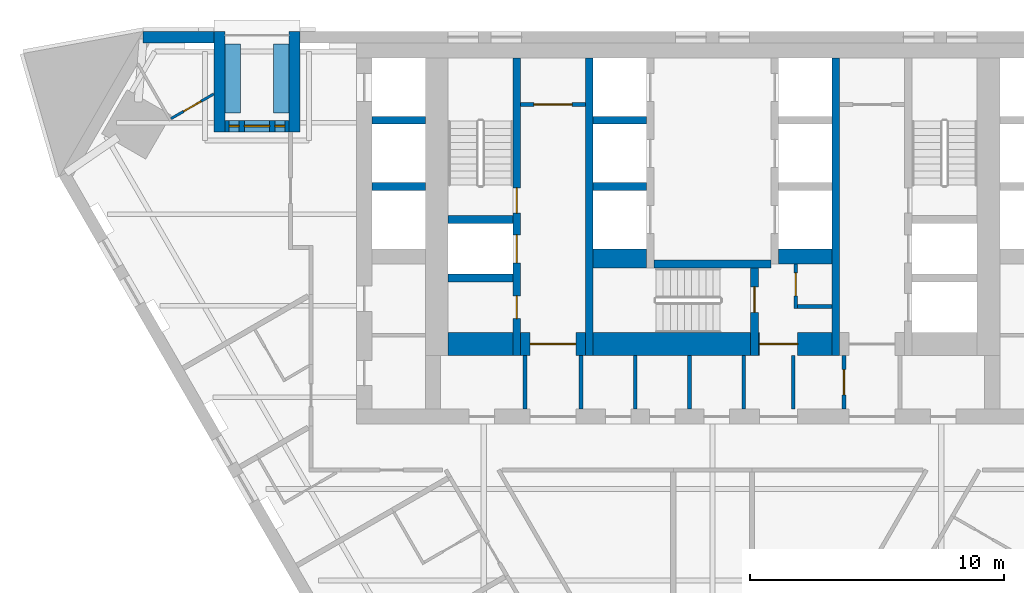
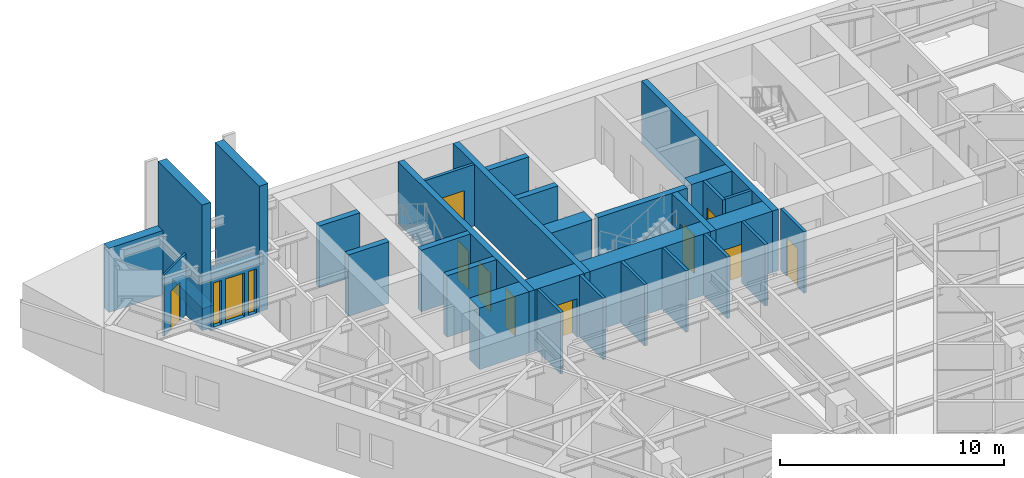
# One storey, part 6 of 10: 34 walls, 11 doors, 2 windows, 13 openings.
"""IFC4 building model written with IfcOpenShell, lengths in metres."""

from ifc_helpers import new_model, si_unit, direction, frame, frame_2d, origin, place, context, subcontext, project, spatial, polyline, rectangle, outline, extrude, material, layer, layer_set, type_object, element, fill, save


model = new_model("IFC4")

# Units and contexts
model_context = context("Model", 3, precision=1e-05, world=origin(), true_north=direction((0.0, 1.0)))
body_context = subcontext(model_context, "Body", "Model", "MODEL_VIEW")
ifc_project = project(units=[si_unit("LENGTHUNIT", "METRE"), si_unit("AREAUNIT", "SQUARE_METRE"), si_unit("VOLUMEUNIT", "CUBIC_METRE"), si_unit("PLANEANGLEUNIT", "RADIAN"), si_unit("MASSUNIT", "GRAM", prefix="KILO")], contexts=[model_context])

# Site, building, storey
site_placement = place(None, origin())
site = spatial("IfcSite", under=ifc_project, at=site_placement, CompositionType="ELEMENT")
building_placement = place(site_placement, origin())
building = spatial("IfcBuilding", under=site, at=building_placement, Name="Aloe Facet Convention Tower", CompositionType="ELEMENT")
storey_placement = place(building_placement, frame((0.0, 0.0, 45.5)))
storey = spatial("IfcBuildingStorey", under=building, at=storey_placement, Name="L09", CompositionType="ELEMENT", Elevation=45.5)

# Wall, opening, door
ifc_material_1 = material(Name="Concrete blockwork partition", Category="masonry")
ifc_layer_1 = layer(ifc_material_1, 0.14990234375)
ifc_layer_set_1 = layer_set([ifc_layer_1], Name="CR-W-PART150")
wall_type_1 = type_object("IfcWallType", Name="CR-W-PART150", PredefinedType="PARTITIONING", material=ifc_layer_set_1)
wall_1_placement = place(storey_placement, frame((72.449951171875, 132.125, 0.0), z_axis=(0.0, 0.0, 1.0), x_axis=(1.0, 0.0, 0.0)))
wall_1 = element("IfcWall", 1, at=wall_1_placement, inside=storey, type_object=wall_type_1, Name="Core partition L09-014", PredefinedType="PARTITIONING", context=body_context, shape_type="SweptSolid", body=[
    extrude(rectangle(XDim=2.550048828125, YDim=0.14990234375, at=frame_2d((1.27490234375, 0.0))), origin(), (0.0, 0.0, 1.0), 3.35009765625),
])
opening_1_placement = place(wall_1_placement, frame((0.52490234375, 0.0, 0.0)))
opening_1 = element("IfcOpeningElement", 2, at=opening_1_placement, cuts=wall_1, Name="Opening L09-CD21", PredefinedType="OPENING", context=body_context, shape_type="SweptSolid", body=[
    extrude(rectangle(XDim=1.5, YDim=2.10009765625, at=frame_2d((0.75, 1.050048828125))), frame((0.0, 0.0849609375, 0.0), z_axis=(0.0, -1.0, 0.0), x_axis=(1.0, 0.0, 0.0)), (0.0, 0.0, 1.0), 0.169921875),
])
ifc_material_2 = material(Name="Steel fire-resisting door set FD60", Category="steel")
door_type_1 = type_object("IfcDoorType", Name="CR-D-REFUGE-1500-FD60-DD", OperationType="DOUBLE_DOOR_DOUBLE_SWING", PredefinedType="DOOR", material=ifc_material_2)
door_1_placement = place(opening_1_placement, origin())
door_1 = element("IfcDoor", 3, at=door_1_placement, inside=storey, type_object=door_type_1, Name="Core door L09-CD21", OperationType="DOUBLE_DOOR_DOUBLE_SWING", OverallHeight=2.10009765625, OverallWidth=1.5, PredefinedType="DOOR", context=body_context, shape_type="SweptSolid", body=[
    extrude(rectangle(XDim=1.5, YDim=2.10009765625, at=frame_2d((0.75, 1.050048828125))), frame((0.0, 0.02490234375, 0.0), z_axis=(0.0, -1.0, 0.0), x_axis=(1.0, 0.0, 0.0)), (0.0, 0.0, 1.0), 0.050048828125),
])
fill(opening_1, door_1)

# Walls
for number, where, z_axis, x_axis, name in (
    (4, (72.625, 122.25, 0.0), (0.0, 0.0, 1.0), (0.0, -1.0, 0.0), "Core partition L09-016"),
    (5, (74.824951171875, 122.25, 0.0), (0.0, 0.0, 1.0), (0.0, -1.0, 0.0), "Core partition L09-017"),
    (6, (76.958251953125, 122.25, 0.0), (0.0, 0.0, 1.0), (0.0, -1.0, 0.0), "Core partition L09-023"),
    (7, (79.091552734375, 122.25, 0.0), (0.0, 0.0, 1.0), (0.0, -1.0, 0.0), "Core partition L09-026"),
    (8, (81.22509765625, 122.25, 0.0), (0.0, 0.0, 1.0), (0.0, -1.0, 0.0), "Core partition L09-027"),
    (9, (83.175048828125, 122.25, 0.0), (0.0, 0.0, 1.0), (0.0, -1.0, 0.0), "Core partition L09-034"),
):
    element("IfcWall", number, at=place(storey_placement, frame(where, z_axis=z_axis, x_axis=x_axis)), inside=storey, type_object=wall_type_1, Name=name, PredefinedType="PARTITIONING", context=body_context, shape_type="SweptSolid", body=[
        extrude(rectangle(XDim=2.10009765625, YDim=0.14990234375, at=frame_2d((1.050048828125, 0.0))), origin(), (0.0, 0.0, 1.0), 3.35009765625),
    ])

# Wall, opening, door
wall_2_placement = place(storey_placement, frame((83.27490234375, 125.85009765625, 0.0), z_axis=(0.0, 0.0, 1.0), x_axis=(0.0, -1.0, 0.0)))
wall_2 = element("IfcWall", 10, at=wall_2_placement, inside=storey, type_object=wall_type_1, Name="Core partition L09-035", PredefinedType="PARTITIONING", context=body_context, shape_type="SweptSolid", body=[
    extrude(rectangle(XDim=1.75, YDim=0.14990234375, at=frame_2d((0.875, 0.0))), origin(), (0.0, 0.0, 1.0), 3.35009765625),
])
opening_2_placement = place(wall_2_placement, frame((0.35009765625, 0.0, 0.0)))
opening_2 = element("IfcOpeningElement", 11, at=opening_2_placement, cuts=wall_2, Name="Opening L09-CD19", PredefinedType="OPENING", context=body_context, shape_type="SweptSolid", body=[
    extrude(rectangle(XDim=0.89990234375, YDim=2.10009765625, at=frame_2d((0.449951171875, 1.050048828125))), frame((0.0, 0.0849609375, 0.0), z_axis=(0.0, -1.0, 0.0), x_axis=(1.0, 0.0, 0.0)), (0.0, 0.0, 1.0), 0.169921875),
])
ifc_material_3 = material(Name="Steel fire-resisting door set FD60", Category="steel")
door_type_2 = type_object("IfcDoorType", Name="CR-D-REFUGE-900-FD60-SRIGHT", OperationType="SINGLE_SWING_RIGHT", PredefinedType="DOOR", material=ifc_material_3)
door_2_placement = place(opening_2_placement, origin())
door_2 = element("IfcDoor", 12, at=door_2_placement, inside=storey, type_object=door_type_2, Name="Core door L09-CD19", OperationType="SINGLE_SWING_RIGHT", OverallHeight=2.10009765625, OverallWidth=0.89990234375, PredefinedType="DOOR", context=body_context, shape_type="SweptSolid", body=[
    extrude(rectangle(XDim=0.89990234375, YDim=2.10009765625, at=frame_2d((0.449951171875, 1.050048828125))), frame((0.0, 0.02490234375, 0.0), z_axis=(0.0, -1.0, 0.0), x_axis=(1.0, 0.0, 0.0)), (0.0, 0.0, 1.0), 0.050048828125),
])
fill(opening_2, door_2)

# Wall
wall_3_placement = place(storey_placement, frame((83.35009765625, 124.175048828125, 0.0), z_axis=(0.0, 0.0, 1.0), x_axis=(1.0, 0.0, 0.0)))
element("IfcWall", 13, at=wall_3_placement, inside=storey, type_object=wall_type_1, Name="Core partition L09-036", PredefinedType="PARTITIONING", context=body_context, shape_type="SweptSolid", body=[
    extrude(rectangle(XDim=1.349853515625, YDim=0.14990234375, at=frame_2d((0.6748046875, 0.0))), origin(), (0.0, 0.0, 1.0), 3.35009765625),
])

# Wall, opening, door
wall_4_placement = place(storey_placement, frame((85.175048828125, 122.25, 0.0), z_axis=(0.0, 0.0, 1.0), x_axis=(0.0, -1.0, 0.0)))
wall_4 = element("IfcWall", 14, at=wall_4_placement, inside=storey, type_object=wall_type_1, Name="Core partition L09-040", PredefinedType="PARTITIONING", context=body_context, shape_type="SweptSolid", body=[
    extrude(rectangle(XDim=2.10009765625, YDim=0.14990234375, at=frame_2d((1.050048828125, 0.0))), origin(), (0.0, 0.0, 1.0), 3.35009765625),
])
opening_3_placement = place(wall_4_placement, frame((0.550048828125, 0.0, 0.0)))
opening_3 = element("IfcOpeningElement", 15, at=opening_3_placement, cuts=wall_4, Name="Opening L09-CD27", PredefinedType="OPENING", context=body_context, shape_type="SweptSolid", body=[
    extrude(rectangle(XDim=1.0, YDim=2.10009765625, at=frame_2d((0.5, 1.050048828125))), frame((0.0, 0.0849609375, 0.0), z_axis=(0.0, -1.0, 0.0), x_axis=(1.0, 0.0, 0.0)), (0.0, 0.0, 1.0), 0.169921875),
])
ifc_material_4 = material(Name="Steel fire-resisting door set FD60", Category="steel")
door_type_3 = type_object("IfcDoorType", Name="CR-D-ROOM-1000-FD60-SRIGHT", OperationType="SINGLE_SWING_RIGHT", PredefinedType="DOOR", material=ifc_material_4)
door_3_placement = place(opening_3_placement, origin())
door_3 = element("IfcDoor", 16, at=door_3_placement, inside=storey, type_object=door_type_3, Name="Core door L09-CD27", OperationType="SINGLE_SWING_RIGHT", OverallHeight=2.10009765625, OverallWidth=1.0, PredefinedType="DOOR", context=body_context, shape_type="SweptSolid", body=[
    extrude(rectangle(XDim=1.0, YDim=2.10009765625, at=frame_2d((0.5, 1.050048828125))), frame((0.0, 0.02490234375, 0.0), z_axis=(0.0, -1.0, 0.0), x_axis=(1.0, 0.0, 0.0)), (0.0, 0.0, 1.0), 0.050048828125),
])
fill(opening_3, door_3)

# Walls
ifc_material_5 = material(Name="Concrete C80/95", Category="concrete")
ifc_layer_2 = layer(ifc_material_5, 0.300048828125)
ifc_layer_set_2 = layer_set([ifc_layer_2], Name="CR-W-RC300-C8095")
wall_type_2 = type_object("IfcWallType", Name="CR-W-RC300-C8095", PredefinedType="SOLIDWALL", material=ifc_layer_set_2)
for number, where, z_axis, x_axis, name in (
    (17, (66.60009765625, 131.5, 0.0), (0.0, 0.0, 1.0), (1.0, 0.0, 0.0), "Core wall L09-004"),
    (18, (66.60009765625, 128.89990234375, 0.0), (0.0, 0.0, 1.0), (1.0, 0.0, 0.0), "Core wall L09-005"),
):
    element("IfcWall", number, at=place(storey_placement, frame(where, z_axis=z_axis, x_axis=x_axis)), inside=storey, type_object=wall_type_2, Name=name, PredefinedType="SOLIDWALL", context=body_context, shape_type="SweptSolid", body=[
        extrude(rectangle(XDim=2.099853515625, YDim=0.300048828125, at=frame_2d((1.0498046875, 0.0))), origin(), (0.0, 0.0, 1.0), 3.35009765625),
    ])
for number, where, z_axis, x_axis, name in (
    (19, (69.60009765625, 127.60009765625, 0.0), (0.0, 0.0, 1.0), (1.0, 0.0, 0.0), "Core wall L09-010"),
    (20, (69.60009765625, 125.300048828125, 0.0), (0.0, 0.0, 1.0), (1.0, 0.0, 0.0), "Core wall L09-011"),
):
    element("IfcWall", number, at=place(storey_placement, frame(where, z_axis=z_axis, x_axis=x_axis)), inside=storey, type_object=wall_type_2, Name=name, PredefinedType="SOLIDWALL", context=body_context, shape_type="SweptSolid", body=[
        extrude(rectangle(XDim=2.5498046875, YDim=0.300048828125, at=frame_2d((1.27490234375, 0.0))), origin(), (0.0, 0.0, 1.0), 3.35009765625),
    ])

# Wall, openings, doors
wall_5_placement = place(storey_placement, frame((72.300048828125, 133.949951171875, 0.0), z_axis=(0.0, 0.0, 1.0), x_axis=(0.0, -1.0, 0.0)))
wall_5 = element("IfcWall", 21, at=wall_5_placement, inside=storey, type_object=wall_type_2, Name="Core wall L09-013", PredefinedType="SOLIDWALL", context=body_context, shape_type="SweptSolid", body=[
    extrude(rectangle(XDim=11.699951171875, YDim=0.300048828125, at=frame_2d((5.85009765625, 0.0))), origin(), (0.0, 0.0, 1.0), 3.35009765625),
])
opening_4_placement = place(wall_5_placement, frame((6.949951171875, 0.0, 0.0)))
opening_4 = element("IfcOpeningElement", 22, at=opening_4_placement, cuts=wall_5, Name="Opening LD-FF1-L09", PredefinedType="OPENING", context=body_context, shape_type="SweptSolid", body=[
    extrude(rectangle(XDim=1.10009765625, YDim=2.10009765625, at=frame_2d((0.550048828125, 1.050048828125))), frame((0.0, 0.16015625, 0.0), z_axis=(0.0, -1.0, 0.0), x_axis=(1.0, 0.0, 0.0)), (0.0, 0.0, 1.0), 0.320068359375),
])
opening_5_placement = place(wall_5_placement, frame((9.35009765625, 0.0, 0.0)))
opening_5 = element("IfcOpeningElement", 23, at=opening_5_placement, cuts=wall_5, Name="Opening L09-CD22", PredefinedType="OPENING", context=body_context, shape_type="SweptSolid", body=[
    extrude(rectangle(XDim=0.89990234375, YDim=2.10009765625, at=frame_2d((0.449951171875, 1.050048828125))), frame((0.0, 0.16015625, 0.0), z_axis=(0.0, -1.0, 0.0), x_axis=(1.0, 0.0, 0.0)), (0.0, 0.0, 1.0), 0.320068359375),
])
opening_6_placement = place(wall_5_placement, frame((5.10009765625, 0.0, 0.0)))
opening_6 = element("IfcOpeningElement", 24, at=opening_6_placement, cuts=wall_5, Name="Opening L09-CD29", PredefinedType="OPENING", context=body_context, shape_type="SweptSolid", body=[
    extrude(rectangle(XDim=1.0, YDim=2.10009765625, at=frame_2d((0.5, 1.050048828125))), frame((0.0, 0.16015625, 0.0), z_axis=(0.0, -1.0, 0.0), x_axis=(1.0, 0.0, 0.0)), (0.0, 0.0, 1.0), 0.320068359375),
])
ifc_material_6 = material(Name="Steel fire-resisting door set FD60", Category="steel")
door_type_4 = type_object("IfcDoorType", Name="CR-D-ROOM-900-FD60-SLEFT", OperationType="SINGLE_SWING_LEFT", PredefinedType="DOOR", material=ifc_material_6)
door_4_placement = place(opening_5_placement, origin())
door_4 = element("IfcDoor", 25, at=door_4_placement, inside=storey, type_object=door_type_4, Name="Core door L09-CD22", OperationType="SINGLE_SWING_LEFT", OverallHeight=2.10009765625, OverallWidth=0.89990234375, PredefinedType="DOOR", context=body_context, shape_type="SweptSolid", body=[
    extrude(rectangle(XDim=0.89990234375, YDim=2.10009765625, at=frame_2d((0.449951171875, 1.050048828125))), frame((0.0, 0.02490234375, 0.0), z_axis=(0.0, -1.0, 0.0), x_axis=(1.0, 0.0, 0.0)), (0.0, 0.0, 1.0), 0.050048828125),
])
fill(opening_5, door_4)
ifc_material_7 = material(Name="Steel fire-resisting door set FD120", Category="steel")
door_type_5 = type_object("IfcDoorType", Name="CR-D-STAIR-1000-FD120-SRIGHT", OperationType="SINGLE_SWING_RIGHT", PredefinedType="DOOR", material=ifc_material_7)
door_5_placement = place(opening_6_placement, origin())
door_5 = element("IfcDoor", 26, at=door_5_placement, inside=storey, type_object=door_type_5, Name="Core door L09-CD29", OperationType="SINGLE_SWING_RIGHT", OverallHeight=2.10009765625, OverallWidth=1.0, PredefinedType="DOOR", context=body_context, shape_type="SweptSolid", body=[
    extrude(rectangle(XDim=1.0, YDim=2.10009765625, at=frame_2d((0.5, 1.050048828125))), frame((0.0, 0.02490234375, 0.0), z_axis=(0.0, -1.0, 0.0), x_axis=(1.0, 0.0, 0.0)), (0.0, 0.0, 1.0), 0.050048828125),
])
fill(opening_6, door_5)
ifc_material_8 = material(Name="Stainless steel sliding landing door", Category="steel")
door_type_6 = type_object("IfcDoorType", Name="CR-LD-1100-FD120-_LEFT", OperationType="SLIDING_TO_LEFT", PredefinedType="DOOR", material=ifc_material_8)
door_6_placement = place(opening_4_placement, origin())
door_6 = element("IfcDoor", 27, at=door_6_placement, inside=storey, type_object=door_type_6, Name="Landing door FF1 L09", OperationType="SLIDING_TO_LEFT", OverallHeight=2.10009765625, OverallWidth=1.10009765625, PredefinedType="DOOR", context=body_context, shape_type="SweptSolid", body=[
    extrude(rectangle(XDim=1.10009765625, YDim=2.10009765625, at=frame_2d((0.550048828125, 1.050048828125))), frame((0.0, 0.02490234375, 0.0), z_axis=(0.0, -1.0, 0.0), x_axis=(1.0, 0.0, 0.0)), (0.0, 0.0, 1.0), 0.050048828125),
])
fill(opening_4, door_6)

# Walls
wall_6_placement = place(storey_placement, frame((75.14990234375, 133.949951171875, 0.0), z_axis=(0.0, 0.0, 1.0), x_axis=(0.0, -1.0, 0.0)))
element("IfcWall", 28, at=wall_6_placement, inside=storey, type_object=wall_type_2, Name="Core wall L09-018", PredefinedType="SOLIDWALL", context=body_context, shape_type="SweptSolid", body=[
    extrude(rectangle(XDim=11.699951171875, YDim=0.300048828125, at=frame_2d((5.85009765625, 0.0))), origin(), (0.0, 0.0, 1.0), 3.35009765625),
])
for number, where, z_axis, x_axis, name in (
    (29, (75.300048828125, 131.5, 0.0), (0.0, 0.0, 1.0), (1.0, 0.0, 0.0), "Core wall L09-019"),
    (30, (75.300048828125, 128.89990234375, 0.0), (0.0, 0.0, 1.0), (1.0, 0.0, 0.0), "Core wall L09-020"),
):
    element("IfcWall", number, at=place(storey_placement, frame(where, z_axis=z_axis, x_axis=x_axis)), inside=storey, type_object=wall_type_2, Name=name, PredefinedType="SOLIDWALL", context=body_context, shape_type="SweptSolid", body=[
        extrude(rectangle(XDim=2.099853515625, YDim=0.300048828125, at=frame_2d((1.0498046875, 0.0))), origin(), (0.0, 0.0, 1.0), 3.35009765625),
    ])
wall_7_placement = place(storey_placement, frame((77.699951171875, 125.85009765625, 0.0), z_axis=(0.0, 0.0, 1.0), x_axis=(1.0, 0.0, 0.0)))
element("IfcWall", 31, at=wall_7_placement, inside=storey, type_object=wall_type_2, Name="Core wall L09-025", PredefinedType="SOLIDWALL", context=body_context, shape_type="SweptSolid", body=[
    extrude(rectangle(XDim=4.60009765625, YDim=0.300048828125, at=frame_2d((2.300048828125, 0.0))), origin(), (0.0, 0.0, 1.0), 3.35009765625),
])

# Wall, opening, door
wall_8_placement = place(storey_placement, frame((81.64990234375, 125.699951171875, 0.0), z_axis=(0.0, 0.0, 1.0), x_axis=(0.0, -1.0, 0.0)))
wall_8 = element("IfcWall", 32, at=wall_8_placement, inside=storey, type_object=wall_type_2, Name="Core wall L09-028", PredefinedType="SOLIDWALL", context=body_context, shape_type="SweptSolid", body=[
    extrude(rectangle(XDim=3.449951171875, YDim=0.300048828125, at=frame_2d((1.72509765625, 0.0))), origin(), (0.0, 0.0, 1.0), 3.35009765625),
])
opening_7_placement = place(wall_8_placement, frame((0.75, 0.0, 0.0)))
opening_7 = element("IfcOpeningElement", 33, at=opening_7_placement, cuts=wall_8, Name="Opening L09-CD31", PredefinedType="OPENING", context=body_context, shape_type="SweptSolid", body=[
    extrude(rectangle(XDim=1.0, YDim=2.10009765625, at=frame_2d((0.5, 1.050048828125))), frame((0.0, 0.16015625, 0.0), z_axis=(0.0, -1.0, 0.0), x_axis=(1.0, 0.0, 0.0)), (0.0, 0.0, 1.0), 0.320068359375),
])
ifc_material_9 = material(Name="Steel fire-resisting door set FD120", Category="steel")
door_type_7 = type_object("IfcDoorType", Name="CR-D-STAIR-1000-FD120-SLEFT", OperationType="SINGLE_SWING_LEFT", PredefinedType="DOOR", material=ifc_material_9)
door_7_placement = place(opening_7_placement, origin())
door_7 = element("IfcDoor", 34, at=door_7_placement, inside=storey, type_object=door_type_7, Name="Core door L09-CD31", OperationType="SINGLE_SWING_LEFT", OverallHeight=2.10009765625, OverallWidth=1.0, PredefinedType="DOOR", context=body_context, shape_type="SweptSolid", body=[
    extrude(rectangle(XDim=1.0, YDim=2.10009765625, at=frame_2d((0.5, 1.050048828125))), frame((0.0, 0.02490234375, 0.0), z_axis=(0.0, -1.0, 0.0), x_axis=(1.0, 0.0, 0.0)), (0.0, 0.0, 1.0), 0.050048828125),
])
fill(opening_7, door_7)

# Walls
wall_9_placement = place(storey_placement, frame((84.85009765625, 133.949951171875, 0.0), z_axis=(0.0, 0.0, 1.0), x_axis=(0.0, -1.0, 0.0)))
element("IfcWall", 35, at=wall_9_placement, inside=storey, type_object=wall_type_2, Name="Core wall L09-037", PredefinedType="SOLIDWALL", context=body_context, shape_type="SweptSolid", body=[
    extrude(rectangle(XDim=11.699951171875, YDim=0.300048828125, at=frame_2d((5.85009765625, 0.0))), origin(), (0.0, 0.0, 1.0), 3.35009765625),
])
ifc_material_10 = material(Name="Concrete C80/95", Category="concrete")
ifc_layer_3 = layer(ifc_material_10, 0.60009765625)
ifc_layer_set_3 = layer_set([ifc_layer_3], Name="CR-W-RC600-C8095")
wall_type_3 = type_object("IfcWallType", Name="CR-W-RC600-C8095", PredefinedType="SOLIDWALL", material=ifc_layer_set_3)
wall_10_placement = place(storey_placement, frame((82.60009765625, 126.14990234375, 0.0), z_axis=(0.0, 0.0, 1.0), x_axis=(1.0, 0.0, 0.0)))
element("IfcWall", 36, at=wall_10_placement, inside=storey, type_object=wall_type_3, Name="Core wall L09-033", PredefinedType="SOLIDWALL", context=body_context, shape_type="SweptSolid", body=[
    extrude(rectangle(XDim=2.099853515625, YDim=0.60009765625, at=frame_2d((1.0498046875, 0.0))), origin(), (0.0, 0.0, 1.0), 3.35009765625),
])
ifc_material_11 = material(Name="Concrete C80/95", Category="concrete")
ifc_layer_4 = layer(ifc_material_11, 0.75)
ifc_layer_set_4 = layer_set([ifc_layer_4], Name="CR-W-RC750-C8095")
wall_type_4 = type_object("IfcWallType", Name="CR-W-RC750-C8095", PredefinedType="SOLIDWALL", material=ifc_layer_set_4)
wall_11_placement = place(storey_placement, frame((75.300048828125, 126.074951171875, 0.0), z_axis=(0.0, 0.0, 1.0), x_axis=(1.0, 0.0, 0.0)))
element("IfcWall", 37, at=wall_11_placement, inside=storey, type_object=wall_type_4, Name="Core wall L09-021", PredefinedType="SOLIDWALL", context=body_context, shape_type="SweptSolid", body=[
    extrude(rectangle(XDim=2.099853515625, YDim=0.75, at=frame_2d((1.0498046875, 0.0))), origin(), (0.0, 0.0, 1.0), 3.35009765625),
])
ifc_material_12 = material(Name="Concrete C80/95", Category="concrete")
ifc_layer_5 = layer(ifc_material_12, 0.89990234375)
ifc_layer_set_5 = layer_set([ifc_layer_5], Name="CR-W-RC900-C8095")
wall_type_5 = type_object("IfcWallType", Name="CR-W-RC900-C8095", PredefinedType="SOLIDWALL", material=ifc_layer_set_5)
wall_12_placement = place(storey_placement, frame((69.60009765625, 122.699951171875, 0.0), z_axis=(0.0, 0.0, 1.0), x_axis=(1.0, 0.0, 0.0)))
element("IfcWall", 38, at=wall_12_placement, inside=storey, type_object=wall_type_5, Name="Core wall L09-012", PredefinedType="SOLIDWALL", context=body_context, shape_type="SweptSolid", body=[
    extrude(rectangle(XDim=2.5498046875, YDim=0.89990234375, at=frame_2d((1.27490234375, 0.0))), origin(), (0.0, 0.0, 1.0), 3.35009765625),
])

# Wall, opening, door
wall_13_placement = place(storey_placement, frame((72.449951171875, 122.699951171875, 0.0), z_axis=(0.0, 0.0, 1.0), x_axis=(1.0, 0.0, 0.0)))
wall_13 = element("IfcWall", 39, at=wall_13_placement, inside=storey, type_object=wall_type_5, Name="Core wall L09-015", PredefinedType="SOLIDWALL", context=body_context, shape_type="SweptSolid", body=[
    extrude(rectangle(XDim=2.550048828125, YDim=0.89990234375, at=frame_2d((1.27490234375, 0.0))), origin(), (0.0, 0.0, 1.0), 3.35009765625),
])
opening_8_placement = place(wall_13_placement, frame((0.375, 0.0, 0.0)))
opening_8 = element("IfcOpeningElement", 40, at=opening_8_placement, cuts=wall_13, Name="Opening L09-CD14", PredefinedType="OPENING", context=body_context, shape_type="SweptSolid", body=[
    extrude(rectangle(XDim=1.800048828125, YDim=2.10009765625, at=frame_2d((0.89990234375, 1.050048828125))), frame((0.0, 0.4599609375, 0.0), z_axis=(0.0, -1.0, 0.0), x_axis=(1.0, 0.0, 0.0)), (0.0, 0.0, 1.0), 0.919921875),
])
ifc_material_13 = material(Name="Steel fire-resisting door set FD120", Category="steel")
door_type_8 = type_object("IfcDoorType", Name="CR-D-EXIT-1800-FD120-DD", OperationType="DOUBLE_DOOR_DOUBLE_SWING", PredefinedType="DOOR", material=ifc_material_13)
door_8_placement = place(opening_8_placement, origin())
door_8 = element("IfcDoor", 41, at=door_8_placement, inside=storey, type_object=door_type_8, Name="Core door L09-CD14", OperationType="DOUBLE_DOOR_DOUBLE_SWING", OverallHeight=2.10009765625, OverallWidth=1.800048828125, PredefinedType="DOOR", context=body_context, shape_type="SweptSolid", body=[
    extrude(rectangle(XDim=1.800048828125, YDim=2.10009765625, at=frame_2d((0.89990234375, 1.050048828125))), frame((0.0, 0.02490234375, 0.0), z_axis=(0.0, -1.0, 0.0), x_axis=(1.0, 0.0, 0.0)), (0.0, 0.0, 1.0), 0.050048828125),
])
fill(opening_8, door_8)

# Wall
wall_14_placement = place(storey_placement, frame((75.300048828125, 122.699951171875, 0.0), z_axis=(0.0, 0.0, 1.0), x_axis=(1.0, 0.0, 0.0)))
element("IfcWall", 42, at=wall_14_placement, inside=storey, type_object=wall_type_5, Name="Core wall L09-022", PredefinedType="SOLIDWALL", context=body_context, shape_type="SweptSolid", body=[
    extrude(rectangle(XDim=6.199951171875, YDim=0.89990234375, at=frame_2d((3.10009765625, 0.0))), origin(), (0.0, 0.0, 1.0), 3.35009765625),
])

# Wall, opening, door
wall_15_placement = place(storey_placement, frame((81.800048828125, 122.699951171875, 0.0), z_axis=(0.0, 0.0, 1.0), x_axis=(1.0, 0.0, 0.0)))
wall_15 = element("IfcWall", 43, at=wall_15_placement, inside=storey, type_object=wall_type_5, Name="Core wall L09-029", PredefinedType="SOLIDWALL", context=body_context, shape_type="SweptSolid", body=[
    extrude(rectangle(XDim=2.89990234375, YDim=0.89990234375, at=frame_2d((1.449951171875, 0.0))), origin(), (0.0, 0.0, 1.0), 3.35009765625),
])
opening_9_placement = place(wall_15_placement, frame((0.050048828125, 0.0, 0.0)))
opening_9 = element("IfcOpeningElement", 44, at=opening_9_placement, cuts=wall_15, Name="Opening L09-CD15", PredefinedType="OPENING", context=body_context, shape_type="SweptSolid", body=[
    extrude(rectangle(XDim=1.5, YDim=2.10009765625, at=frame_2d((0.75, 1.050048828125))), frame((0.0, 0.4599609375, 0.0), z_axis=(0.0, -1.0, 0.0), x_axis=(1.0, 0.0, 0.0)), (0.0, 0.0, 1.0), 0.919921875),
])
ifc_material_14 = material(Name="Steel fire-resisting door set FD60", Category="steel")
door_type_9 = type_object("IfcDoorType", Name="CR-D-EXIT-1500-FD60-DD", OperationType="DOUBLE_DOOR_DOUBLE_SWING", PredefinedType="DOOR", material=ifc_material_14)
door_9_placement = place(opening_9_placement, origin())
door_9 = element("IfcDoor", 45, at=door_9_placement, inside=storey, type_object=door_type_9, Name="Core door L09-CD15", OperationType="DOUBLE_DOOR_DOUBLE_SWING", OverallHeight=2.10009765625, OverallWidth=1.5, PredefinedType="DOOR", context=body_context, shape_type="SweptSolid", body=[
    extrude(rectangle(XDim=1.5, YDim=2.10009765625, at=frame_2d((0.75, 1.050048828125))), frame((0.0, 0.02490234375, 0.0), z_axis=(0.0, -1.0, 0.0), x_axis=(1.0, 0.0, 0.0)), (0.0, 0.0, 1.0), 0.050048828125),
])
fill(opening_9, door_9)

# Walls
ifc_material_15 = material(Name="Precast concrete C40/50", Category="concrete")
ifc_layer_6 = layer(ifc_material_15, 0.60009765625)
ifc_layer_set_6 = layer_set([ifc_layer_6], Name="EV-PLANTER")
wall_type_6 = type_object("IfcWallType", Name="EV-PLANTER", PredefinedType="STANDARD", material=ifc_layer_set_6)
for number, where, z_axis, x_axis, name in (
    (46, (63.030029296875, 134.5, 0.0), (0.0, 0.0, 1.0), (0.0, -1.0, 0.0), "PLANTER T01-1"),
    (47, (61.1298828125, 134.5, 0.0), (0.0, 0.0, 1.0), (0.0, -1.0, 0.0), "PLANTER T01-2"),
):
    element("IfcWall", number, at=place(storey_placement, frame(where, z_axis=z_axis, x_axis=x_axis)), inside=storey, type_object=wall_type_6, Name=name, PredefinedType="STANDARD", context=body_context, shape_type="SweptSolid", body=[
        extrude(rectangle(XDim=2.699951171875, YDim=0.60009765625, at=frame_2d((1.35009765625, 0.0))), origin(), (0.0, 0.0, 1.0), 0.60009765625),
    ])
ifc_material_16 = material(Name="Precast concrete C40/50", Category="concrete")
ifc_layer_7 = layer(ifc_material_16, 0.449951171875)
ifc_layer_set_7 = layer_set([ifc_layer_7], Name="EV-WALL-STONE")
wall_type_7 = type_object("IfcWallType", Name="EV-WALL-STONE", PredefinedType="SOLIDWALL", material=ifc_layer_set_7)
wall_16_placement = place(storey_placement, frame((60.3798828125, 134.77490234375, -0.14990234375), z_axis=(0.0, 0.0, 1.0), x_axis=(-1.0, 0.0, 0.0)))
element("IfcWall", 48, at=wall_16_placement, inside=storey, type_object=wall_type_7, Name="EW-L09-N02", PredefinedType="SOLIDWALL", context=body_context, shape_type="SweptSolid", body=[
    extrude(outline(polyline([(2.780029296875, 3.5), (2.780029296875, 0.0), (0.0, 0.0), (0.0, 3.5), (2.780029296875, 3.5)])), frame((0.0, 0.22509765625, 0.0), z_axis=(0.0, -1.0, 0.0), x_axis=(1.0, 0.0, 0.0)), (0.0, 0.0, 1.0), 0.449951171875),
])
for number, where, z_axis, x_axis, name in (
    (49, (63.554931640625, 135.0, 0.0), (0.0, 0.0, 1.0), (0.0, -1.0, 0.0), "TW-T01-1"),
    (50, (60.60498046875, 135.0, 0.0), (0.0, 0.0, 1.0), (0.0, -1.0, 0.0), "TW-T01-2"),
):
    element("IfcWall", number, at=place(storey_placement, frame(where, z_axis=z_axis, x_axis=x_axis)), inside=storey, type_object=wall_type_7, Name=name, PredefinedType="SOLIDWALL", context=body_context, shape_type="SweptSolid", body=[
        extrude(rectangle(XDim=3.949951171875, YDim=0.449951171875, at=frame_2d((1.97509765625, 0.0))), origin(), (0.0, 0.0, 1.0), 6.85009765625),
    ])

# Wall, openings, door, windows
wall_17_placement = place(storey_placement, frame((63.330078125, 131.27490234375, -0.14990234375), z_axis=(0.0, 0.0, 1.0), x_axis=(-1.0, 0.0, 0.0)))
wall_17 = element("IfcWall", 51, at=wall_17_placement, inside=storey, type_object=wall_type_7, Name="TB-T01-L09", PredefinedType="SOLIDWALL", context=body_context, shape_type="SweptSolid", body=[
    extrude(rectangle(XDim=2.5, YDim=0.449951171875, at=frame_2d((1.25, 0.0))), origin(), (0.0, 0.0, 1.0), 3.097412109375),
])
opening_10_placement = place(wall_17_placement, frame((0.75, 0.0, 0.14990234375)))
opening_10 = element("IfcOpeningElement", 52, at=opening_10_placement, cuts=wall_17, Name="Opening D-T01", PredefinedType="OPENING", context=body_context, shape_type="SweptSolid", body=[
    extrude(rectangle(XDim=1.0, YDim=2.39990234375, at=frame_2d((0.5, 1.199951171875))), frame((0.0, 0.23486328125, 0.0), z_axis=(0.0, -1.0, 0.0), x_axis=(1.0, 0.0, 0.0)), (0.0, 0.0, 1.0), 0.469970703125),
])
opening_11_placement = place(wall_17_placement, frame((0.14990234375, 0.0, 0.14990234375)))
opening_11 = element("IfcOpeningElement", 53, at=opening_11_placement, cuts=wall_17, Name="Opening G-T01-1", PredefinedType="OPENING", context=body_context, shape_type="SweptSolid", body=[
    extrude(rectangle(XDim=0.39990234375, YDim=2.39990234375, at=frame_2d((0.199951171875, 1.199951171875))), frame((0.0, 0.23486328125, 0.0), z_axis=(0.0, -1.0, 0.0), x_axis=(1.0, 0.0, 0.0)), (0.0, 0.0, 1.0), 0.469970703125),
])
opening_12_placement = place(wall_17_placement, frame((1.949951171875, 0.0, 0.14990234375)))
opening_12 = element("IfcOpeningElement", 54, at=opening_12_placement, cuts=wall_17, Name="Opening G-T01-2", PredefinedType="OPENING", context=body_context, shape_type="SweptSolid", body=[
    extrude(rectangle(XDim=0.39990234375, YDim=2.39990234375, at=frame_2d((0.199951171875, 1.199951171875))), frame((0.0, 0.23486328125, 0.0), z_axis=(0.0, -1.0, 0.0), x_axis=(1.0, 0.0, 0.0)), (0.0, 0.0, 1.0), 0.469970703125),
])
ifc_material_17 = material(Name="Aluminium frame, clear double glazing", Category="aluminium")
door_type_10 = type_object("IfcDoorType", Name="EV-DOOR-TERR", OperationType="SINGLE_SWING_LEFT", PredefinedType="DOOR", material=ifc_material_17)
door_10_placement = place(opening_10_placement, origin())
door_10 = element("IfcDoor", 55, at=door_10_placement, inside=storey, type_object=door_type_10, Name="D-T01", OperationType="SINGLE_SWING_LEFT", OverallHeight=2.39990234375, OverallWidth=1.0, PredefinedType="DOOR", context=body_context, shape_type="SweptSolid", body=[
    extrude(rectangle(XDim=1.0, YDim=2.39990234375, at=frame_2d((0.5, 1.199951171875))), frame((0.0, 0.02490234375, 0.0), z_axis=(0.0, -1.0, 0.0), x_axis=(1.0, 0.0, 0.0)), (0.0, 0.0, 1.0), 0.050048828125),
])
fill(opening_10, door_10)
ifc_material_18 = material(Name="Aluminium frame, clear double glazing", Category="aluminium")
window_type = type_object("IfcWindowType", Name="EV-WIN-SL40", PartitioningType="SINGLE_PANEL", PredefinedType="WINDOW", material=ifc_material_18)
window_1_placement = place(opening_11_placement, origin())
window_1 = element("IfcWindow", 56, at=window_1_placement, inside=storey, type_object=window_type, Name="G-T01-1", OverallHeight=2.39990234375, OverallWidth=0.39990234375, PartitioningType="SINGLE_PANEL", PredefinedType="WINDOW", context=body_context, shape_type="SweptSolid", body=[
    extrude(rectangle(XDim=0.39990234375, YDim=2.39990234375, at=frame_2d((0.199951171875, 1.199951171875))), frame((0.0, 0.030029296875, 0.0), z_axis=(0.0, -1.0, 0.0), x_axis=(1.0, 0.0, 0.0)), (0.0, 0.0, 1.0), 0.06005859375),
])
fill(opening_11, window_1)
window_2_placement = place(opening_12_placement, origin())
window_2 = element("IfcWindow", 57, at=window_2_placement, inside=storey, type_object=window_type, Name="G-T01-2", OverallHeight=2.39990234375, OverallWidth=0.39990234375, PartitioningType="SINGLE_PANEL", PredefinedType="WINDOW", context=body_context, shape_type="SweptSolid", body=[
    extrude(rectangle(XDim=0.39990234375, YDim=2.39990234375, at=frame_2d((0.199951171875, 1.199951171875))), frame((0.0, 0.030029296875, 0.0), z_axis=(0.0, -1.0, 0.0), x_axis=(1.0, 0.0, 0.0)), (0.0, 0.0, 1.0), 0.06005859375),
])
fill(opening_12, window_2)

# Wall, opening, door
ifc_material_19 = material(Name="Gypsum board partition on steel studs", Category="steel")
ifc_layer_8 = layer(ifc_material_19, 0.10009765625)
ifc_layer_set_8 = layer_set([ifc_layer_8], Name="IN-W-PART")
wall_type_8 = type_object("IfcWallType", Name="IN-W-PART", PredefinedType="PARTITIONING", material=ifc_layer_set_8)
wall_18_placement = place(storey_placement, frame((58.695068359375, 131.568115234375, 0.0), z_axis=(0.0, 0.0, 1.0), x_axis=(0.865987050215, 0.500066424447, 0.0)))
wall_18 = element("IfcWall", 58, at=wall_18_placement, inside=storey, type_object=wall_type_8, Name="Partition L09-W101", PredefinedType="PARTITIONING", context=body_context, shape_type="SweptSolid", body=[
    extrude(rectangle(XDim=1.945556640625, YDim=0.10009765625, at=frame_2d((0.97265625, 0.0))), origin(), (0.0, 0.0, 1.0), 3.35009765625),
])
opening_13_placement = place(wall_18_placement, frame((0.57275390625, 0.0, 0.0)))
opening_13 = element("IfcOpeningElement", 59, at=opening_13_placement, cuts=wall_18, Name="Opening L09-017", PredefinedType="OPENING", context=body_context, shape_type="SweptSolid", body=[
    extrude(rectangle(XDim=0.800048828125, YDim=2.10009765625, at=frame_2d((0.39990234375, 1.050048828125))), frame((0.0, 0.06005859375, 0.0), z_axis=(0.0, -1.0, 0.0), x_axis=(1.0, 0.0, 0.0)), (0.0, 0.0, 1.0), 0.1201171875),
])
ifc_material_20 = material(Name="Timber flush door", Category="wood")
door_type_11 = type_object("IfcDoorType", Name="IN-D-BATH", OperationType="SINGLE_SWING_LEFT", PredefinedType="DOOR", material=ifc_material_20)
door_11_placement = place(opening_13_placement, origin())
door_11 = element("IfcDoor", 60, at=door_11_placement, inside=storey, type_object=door_type_11, Name="Door L09-017", OperationType="SINGLE_SWING_LEFT", OverallHeight=2.10009765625, OverallWidth=0.800048828125, PredefinedType="DOOR", context=body_context, shape_type="SweptSolid", body=[
    extrude(rectangle(XDim=0.800048828125, YDim=2.10009765625, at=frame_2d((0.39990234375, 1.050048828125))), frame((0.0, 0.02490234375, 0.0), z_axis=(0.0, -1.0, 0.0), x_axis=(1.0, 0.0, 0.0)), (0.0, 0.0, 1.0), 0.050048828125),
])
fill(opening_13, door_11)

save(model, "model.ifc")
